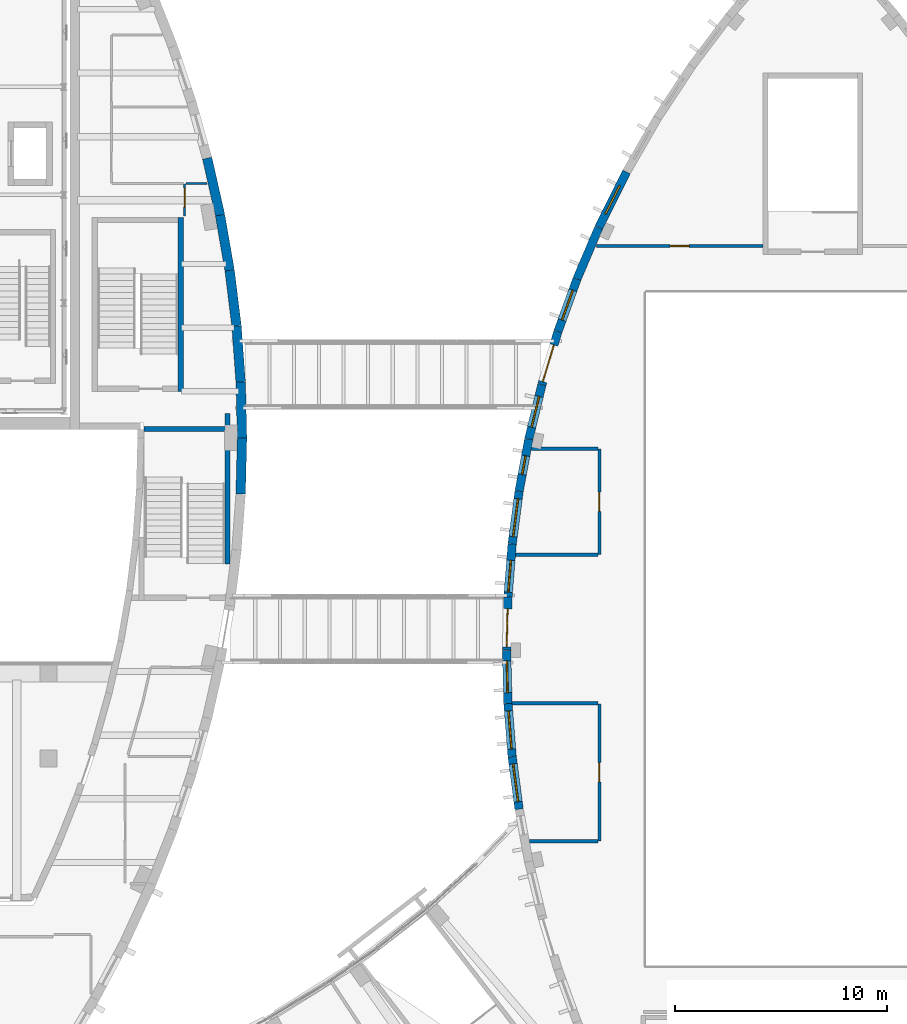
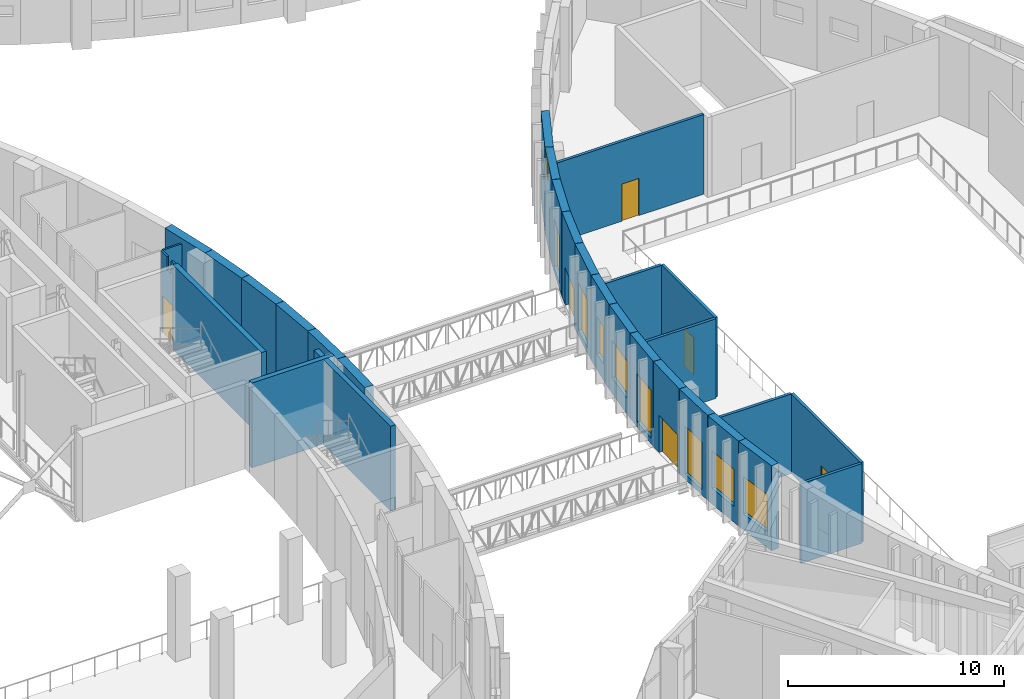
# One storey, part 62 of 93: 30 walls, 9 windows, 6 doors, 15 openings.
"""IFC4 building model written with IfcOpenShell, lengths in metres."""

from ifc_helpers import new_model, si_unit, direction, frame, frame_2d, origin, place, context, subcontext, project, spatial, polyline, rectangle, outline, extrude, material, layer, layer_set, type_object, element, fill, save


model = new_model("IFC4")

# Units and contexts
model_context = context("Model", 3, precision=1e-05, world=origin(), true_north=direction((0.0, 1.0)))
body_context = subcontext(model_context, "Body", "Model", "MODEL_VIEW")
ifc_project = project(units=[si_unit("LENGTHUNIT", "METRE"), si_unit("AREAUNIT", "SQUARE_METRE"), si_unit("VOLUMEUNIT", "CUBIC_METRE"), si_unit("PLANEANGLEUNIT", "RADIAN"), si_unit("MASSUNIT", "GRAM", prefix="KILO")], contexts=[model_context])

# Site, building, storey
site_placement = place(None, origin())
site = spatial("IfcSite", under=ifc_project, at=site_placement, CompositionType="ELEMENT")
building_placement = place(site_placement, origin())
building = spatial("IfcBuilding", under=site, at=building_placement, Name="Tide Square Theatres", CompositionType="ELEMENT")
storey_placement = place(building_placement, frame((0.0, 0.0, 5.39990234375)))
storey = spatial("IfcBuildingStorey", under=building, at=storey_placement, Name="L01", CompositionType="ELEMENT", Elevation=5.39990234375)

# Wall, opening, door
ifc_material_1 = material(Name="Gypsum board on steel studs", Category="steel")
ifc_layer_1 = layer(ifc_material_1, 0.10009765625)
ifc_layer_set_1 = layer_set([ifc_layer_1], Name="Gypsum board on steel studs")
wall_type_1 = type_object("IfcWallType", Name="Partition 100 thick", PredefinedType="PARTITIONING", material=ifc_layer_set_1)
wall_1_placement = place(storey_placement, frame((102.39990234375, 65.4599609375, 0.0), z_axis=(0.0, 0.0, 1.0), x_axis=(0.0, 1.0, 0.0)))
wall_1 = element("IfcWall", 1, at=wall_1_placement, inside=storey, type_object=wall_type_1, Name="Partition", PredefinedType="PARTITIONING", context=body_context, shape_type="SweptSolid", body=[
    extrude(outline(polyline([(0.0, 0.0), (1.52001953125, 0.0), (1.52001953125, 4.550048828125), (0.947021484375, 4.550048828125), (0.945068359375, 3.820068359375), (0.534912109375, 3.820068359375), (0.532958984375, 4.550048828125), (0.0, 4.550048828125), (0.0, 0.0)])), frame((0.0, 0.050048828125, 0.0), z_axis=(0.0, -1.0, 0.0), x_axis=(1.0, 0.0, 0.0)), (0.0, 0.0, 1.0), 0.10009765625),
])
opening_1_placement = place(wall_1_placement, frame((0.419921875, 0.0, 0.0)))
opening_1 = element("IfcOpeningElement", 2, at=opening_1_placement, cuts=wall_1, Name="Opening M01-21", PredefinedType="OPENING", context=body_context, shape_type="SweptSolid", body=[
    extrude(rectangle(XDim=0.89990234375, YDim=2.10009765625, at=frame_2d((0.449951171875, 1.050048828125))), frame((0.0, 0.06005859375, 0.0), z_axis=(0.0, -1.0, 0.0), x_axis=(1.0, 0.0, 0.0)), (0.0, 0.0, 1.0), 0.1201171875),
])
ifc_material_2 = material(Name="Hardwood timber", Category="wood")
door_type_1 = type_object("IfcDoorType", Name="Door 900 x 2100 single leaf", OperationType="NOTDEFINED", PredefinedType="DOOR", material=ifc_material_2)
door_1_placement = place(opening_1_placement, frame((0.89990234375, 0.0, 0.0), z_axis=(0.0, 0.0, 1.0), x_axis=(-1.0, 0.0, 0.0)))
door_1 = element("IfcDoor", 3, at=door_1_placement, inside=storey, type_object=door_type_1, Name="Green Room door", OperationType="SINGLE_SWING_LEFT", OverallHeight=2.10009765625, OverallWidth=0.89990234375, PredefinedType="DOOR", context=body_context, shape_type="SweptSolid", body=[
    extrude(rectangle(XDim=0.89990234375, YDim=2.10009765625, at=frame_2d((0.449951171875, 1.050048828125))), frame((0.0, 0.02490234375, 0.0), z_axis=(0.0, -1.0, 0.0), x_axis=(1.0, 0.0, 0.0)), (0.0, 0.0, 1.0), 0.050048828125),
])
fill(opening_1, door_1)

# Wall
wall_2_placement = place(storey_placement, frame((103.46533203125, 67.0, 0.0), z_axis=(0.0, 0.0, 1.0), x_axis=(-1.0, 0.0, 0.0)))
element("IfcWall", 4, at=wall_2_placement, inside=storey, type_object=wall_type_1, Name="Partition", PredefinedType="PARTITIONING", context=body_context, shape_type="SweptSolid", body=[
    extrude(rectangle(XDim=0.995361328125, YDim=0.10009765625, at=frame_2d((0.49755859375, 0.0))), origin(), (0.0, 0.0, 1.0), 4.550048828125),
])

# Wall, opening, door
ifc_material_3 = material(Name="Gypsum board on steel studs", Category="steel")
ifc_layer_2 = layer(ifc_material_3, 0.14990234375)
ifc_layer_set_2 = layer_set([ifc_layer_2], Name="Gypsum board on steel studs")
wall_type_2 = type_object("IfcWallType", Name="Partition 150 thick", PredefinedType="PARTITIONING", material=ifc_layer_set_2)
wall_3_placement = place(storey_placement, frame((121.949951171875, 36.02001953125, 0.0), z_axis=(0.0, 0.0, 1.0), x_axis=(0.0, 1.0, 0.0)))
wall_3 = element("IfcWall", 5, at=wall_3_placement, inside=storey, type_object=wall_type_2, Name="Black Box Theatre partition", PredefinedType="PARTITIONING", context=body_context, shape_type="SweptSolid", body=[
    extrude(rectangle(XDim=6.4599609375, YDim=0.14990234375, at=frame_2d((3.22998046875, 0.0))), origin(), (0.0, 0.0, 1.0), 4.5),
])
opening_2_placement = place(wall_3_placement, frame((2.780029296875, 0.0, 0.0)))
opening_2 = element("IfcOpeningElement", 6, at=opening_2_placement, cuts=wall_3, Name="Opening B01-05", PredefinedType="OPENING", context=body_context, shape_type="SweptSolid", body=[
    extrude(rectangle(XDim=0.89990234375, YDim=2.10009765625, at=frame_2d((0.449951171875, 1.050048828125))), frame((0.0, 0.0849609375, 0.0), z_axis=(0.0, -1.0, 0.0), x_axis=(1.0, 0.0, 0.0)), (0.0, 0.0, 1.0), 0.169921875),
])
door_2_placement = place(opening_2_placement, origin())
door_2 = element("IfcDoor", 7, at=door_2_placement, inside=storey, type_object=door_type_1, Name="Rehearsal Room 01 door", OperationType="SINGLE_SWING_RIGHT", OverallHeight=2.10009765625, OverallWidth=0.89990234375, PredefinedType="DOOR", context=body_context, shape_type="SweptSolid", body=[
    extrude(rectangle(XDim=0.89990234375, YDim=2.10009765625, at=frame_2d((0.449951171875, 1.050048828125))), frame((0.0, 0.02490234375, 0.0), z_axis=(0.0, -1.0, 0.0), x_axis=(1.0, 0.0, 0.0)), (0.0, 0.0, 1.0), 0.050048828125),
])
fill(opening_2, door_2)

wall_4_placement = place(storey_placement, frame((121.949951171875, 49.52001953125, 0.0), z_axis=(0.0, 0.0, 1.0), x_axis=(0.0, 1.0, 0.0)))
wall_4 = element("IfcWall", 8, at=wall_4_placement, inside=storey, type_object=wall_type_2, Name="Black Box Theatre partition", PredefinedType="PARTITIONING", context=body_context, shape_type="SweptSolid", body=[
    extrude(rectangle(XDim=4.9599609375, YDim=0.14990234375, at=frame_2d((2.47998046875, 0.0))), origin(), (0.0, 0.0, 1.0), 4.5),
])
opening_3_placement = place(wall_4_placement, frame((2.030029296875, 0.0, 0.0)))
opening_3 = element("IfcOpeningElement", 9, at=opening_3_placement, cuts=wall_4, Name="Opening B01-06", PredefinedType="OPENING", context=body_context, shape_type="SweptSolid", body=[
    extrude(rectangle(XDim=0.89990234375, YDim=2.10009765625, at=frame_2d((0.449951171875, 1.050048828125))), frame((0.0, 0.0849609375, 0.0), z_axis=(0.0, -1.0, 0.0), x_axis=(1.0, 0.0, 0.0)), (0.0, 0.0, 1.0), 0.169921875),
])
door_3_placement = place(opening_3_placement, origin())
door_3 = element("IfcDoor", 10, at=door_3_placement, inside=storey, type_object=door_type_1, Name="Rehearsal Room 02 door", OperationType="SINGLE_SWING_RIGHT", OverallHeight=2.10009765625, OverallWidth=0.89990234375, PredefinedType="DOOR", context=body_context, shape_type="SweptSolid", body=[
    extrude(rectangle(XDim=0.89990234375, YDim=2.10009765625, at=frame_2d((0.449951171875, 1.050048828125))), frame((0.0, 0.02490234375, 0.0), z_axis=(0.0, -1.0, 0.0), x_axis=(1.0, 0.0, 0.0)), (0.0, 0.0, 1.0), 0.050048828125),
])
fill(opening_3, door_3)

wall_5_placement = place(storey_placement, frame((121.80859375, 64.050048828125, 0.0), z_axis=(0.0, 0.0, 1.0), x_axis=(1.0, 0.0, 0.0)))
wall_5 = element("IfcWall", 11, at=wall_5_placement, inside=storey, type_object=wall_type_2, Name="Black Box Theatre partition", PredefinedType="PARTITIONING", context=body_context, shape_type="SweptSolid", body=[
    extrude(rectangle(XDim=7.841796875, YDim=0.14990234375, at=frame_2d((3.9208984375, 0.0))), origin(), (0.0, 0.0, 1.0), 4.5),
])
opening_4_placement = place(wall_5_placement, frame((3.470947265625, 0.0, 0.0)))
opening_4 = element("IfcOpeningElement", 12, at=opening_4_placement, cuts=wall_5, Name="Opening B01-14", PredefinedType="OPENING", context=body_context, shape_type="SweptSolid", body=[
    extrude(rectangle(XDim=0.89990234375, YDim=2.10009765625, at=frame_2d((0.449951171875, 1.050048828125))), frame((0.0, 0.0849609375, 0.0), z_axis=(0.0, -1.0, 0.0), x_axis=(1.0, 0.0, 0.0)), (0.0, 0.0, 1.0), 0.169921875),
])
door_4_placement = place(opening_4_placement, origin())
door_4 = element("IfcDoor", 13, at=door_4_placement, inside=storey, type_object=door_type_1, Name="Lamp Store door", OperationType="SINGLE_SWING_RIGHT", OverallHeight=2.10009765625, OverallWidth=0.89990234375, PredefinedType="DOOR", context=body_context, shape_type="SweptSolid", body=[
    extrude(rectangle(XDim=0.89990234375, YDim=2.10009765625, at=frame_2d((0.449951171875, 1.050048828125))), frame((0.0, 0.02490234375, 0.0), z_axis=(0.0, -1.0, 0.0), x_axis=(1.0, 0.0, 0.0)), (0.0, 0.0, 1.0), 0.050048828125),
])
fill(opening_4, door_4)

# Walls
wall_6_placement = place(storey_placement, frame((118.646728515625, 36.0, 0.0), z_axis=(0.0, 0.0, 1.0), x_axis=(1.0, 0.0, 0.0)))
element("IfcWall", 14, at=wall_6_placement, inside=storey, type_object=wall_type_2, Name="Black Box Theatre partition", PredefinedType="PARTITIONING", context=body_context, shape_type="SweptSolid", body=[
    extrude(rectangle(XDim=3.2431640625, YDim=0.14990234375, at=frame_2d((1.62158203125, 0.0))), origin(), (0.0, 0.0, 1.0), 4.5),
])
wall_7_placement = place(storey_placement, frame((117.83837890625, 42.5, 0.0), z_axis=(0.0, 0.0, 1.0), x_axis=(1.0, 0.0, 0.0)))
element("IfcWall", 15, at=wall_7_placement, inside=storey, type_object=wall_type_2, Name="Black Box Theatre partition", PredefinedType="PARTITIONING", context=body_context, shape_type="SweptSolid", body=[
    extrude(rectangle(XDim=4.051513671875, YDim=0.14990234375, at=frame_2d((2.02587890625, 0.0))), origin(), (0.0, 0.0, 1.0), 4.5),
])
wall_8_placement = place(storey_placement, frame((117.99609375, 49.5, 0.0), z_axis=(0.0, 0.0, 1.0), x_axis=(1.0, 0.0, 0.0)))
element("IfcWall", 16, at=wall_8_placement, inside=storey, type_object=wall_type_2, Name="Black Box Theatre partition", PredefinedType="PARTITIONING", context=body_context, shape_type="SweptSolid", body=[
    extrude(rectangle(XDim=3.893798828125, YDim=0.14990234375, at=frame_2d((1.94677734375, 0.0))), origin(), (0.0, 0.0, 1.0), 4.5),
])
wall_9_placement = place(storey_placement, frame((118.739501953125, 54.5, 0.0), z_axis=(0.0, 0.0, 1.0), x_axis=(1.0, 0.0, 0.0)))
element("IfcWall", 17, at=wall_9_placement, inside=storey, type_object=wall_type_2, Name="Black Box Theatre partition", PredefinedType="PARTITIONING", context=body_context, shape_type="SweptSolid", body=[
    extrude(rectangle(XDim=3.150390625, YDim=0.14990234375, at=frame_2d((1.5751953125, 0.0))), origin(), (0.0, 0.0, 1.0), 4.5),
])

# Wall, opening, window
ifc_material_4 = material(Name="Concrete C40", Category="concrete")
ifc_layer_3 = layer(ifc_material_4, 0.39990234375)
ifc_layer_set_3 = layer_set([ifc_layer_3], Name="Concrete C40")
wall_type_3 = type_object("IfcWallType", Name="RC curved wall 400 thick", PredefinedType="SOLIDWALL", material=ifc_layer_set_3)
wall_10_placement = place(storey_placement, frame((123.2197265625, 67.537353515625, 0.0), z_axis=(0.0, 0.0, 1.0), x_axis=(-0.44433489597, -0.895860759395, 0.0)))
wall_10 = element("IfcWall", 18, at=wall_10_placement, inside=storey, type_object=wall_type_3, Name="Black Box Theatre perimeter wall", PredefinedType="SOLIDWALL", context=body_context, shape_type="SweptSolid", body=[
    extrude(rectangle(XDim=2.919677734375, YDim=0.39990234375, at=frame_2d((1.4599609375, 0.0))), origin(), (0.0, 0.0, 1.0), 4.800048828125),
])
opening_5_placement = place(wall_10_placement, frame((0.7099609375, 0.0, 2.39990234375)))
opening_5 = element("IfcOpeningElement", 19, at=opening_5_placement, cuts=wall_10, Name="Opening WN-04", PredefinedType="OPENING", context=body_context, shape_type="SweptSolid", body=[
    extrude(rectangle(XDim=1.5, YDim=0.89990234375, at=frame_2d((0.75, 0.449951171875))), frame((0.0, 0.2099609375, 0.0), z_axis=(0.0, -1.0, 0.0), x_axis=(1.0, 0.0, 0.0)), (0.0, 0.0, 1.0), 0.419921875),
])
ifc_material_5 = material(Name="Aluminium with laminated glass", Category="aluminium")
window_type_1 = type_object("IfcWindowType", Name="Window 1500 x 900", PartitioningType="SINGLE_PANEL", PredefinedType="WINDOW", material=ifc_material_5)
window_1_placement = place(opening_5_placement, origin())
window_1 = element("IfcWindow", 20, at=window_1_placement, inside=storey, type_object=window_type_1, Name="Black Box Theatre Lamp Store window", OverallHeight=0.89990234375, OverallWidth=1.5, PartitioningType="SINGLE_PANEL", PredefinedType="WINDOW", context=body_context, shape_type="SweptSolid", body=[
    extrude(rectangle(XDim=1.5, YDim=0.89990234375, at=frame_2d((0.75, 0.449951171875))), frame((0.0, 0.030029296875, 0.0), z_axis=(0.0, -1.0, 0.0), x_axis=(1.0, 0.0, 0.0)), (0.0, 0.0, 1.0), 0.06005859375),
])
fill(opening_5, window_1)

# Wall
wall_11_placement = place(storey_placement, frame((121.91748046875, 64.910888671875, 0.0), z_axis=(0.0, 0.0, 1.0), x_axis=(-0.391529943778, -0.920165367271, 0.0)))
element("IfcWall", 21, at=wall_11_placement, inside=storey, type_object=wall_type_3, Name="Black Box Theatre perimeter wall", PredefinedType="SOLIDWALL", context=body_context, shape_type="SweptSolid", body=[
    extrude(rectangle(XDim=2.61572265625, YDim=0.39990234375, at=frame_2d((1.307861328125, 0.0))), origin(), (0.0, 0.0, 1.0), 4.800048828125),
])

# Wall, opening, window
wall_12_placement = place(storey_placement, frame((120.889404296875, 62.49365234375, 0.0), z_axis=(0.0, 0.0, 1.0), x_axis=(-0.340394146267, -0.940282843184, 0.0)))
wall_12 = element("IfcWall", 22, at=wall_12_placement, inside=storey, type_object=wall_type_3, Name="Black Box Theatre perimeter wall", PredefinedType="SOLIDWALL", context=body_context, shape_type="SweptSolid", body=[
    extrude(rectangle(XDim=2.616455078125, YDim=0.39990234375, at=frame_2d((1.30810546875, 0.0))), origin(), (0.0, 0.0, 1.0), 4.800048828125),
])
opening_6_placement = place(wall_12_placement, frame((0.558349609375, 0.0, 0.300048828125)))
opening_6 = element("IfcOpeningElement", 23, at=opening_6_placement, cuts=wall_12, Name="Opening WN-02", PredefinedType="OPENING", context=body_context, shape_type="SweptSolid", body=[
    extrude(rectangle(XDim=1.5, YDim=2.699951171875, at=frame_2d((0.75, 1.35009765625))), frame((0.0, 0.2099609375, 0.0), z_axis=(0.0, -1.0, 0.0), x_axis=(1.0, 0.0, 0.0)), (0.0, 0.0, 1.0), 0.419921875),
])
ifc_material_6 = material(Name="Aluminium with laminated glass", Category="aluminium")
window_type_2 = type_object("IfcWindowType", Name="Window 1500 x 2700", PartitioningType="SINGLE_PANEL", PredefinedType="WINDOW", material=ifc_material_6)
window_2_placement = place(opening_6_placement, origin())
window_2 = element("IfcWindow", 24, at=window_2_placement, inside=storey, type_object=window_type_2, Name="Black Box Theatre Bridge Lobby window", OverallHeight=2.699951171875, OverallWidth=1.5, PartitioningType="SINGLE_PANEL", PredefinedType="WINDOW", context=body_context, shape_type="SweptSolid", body=[
    extrude(rectangle(XDim=1.5, YDim=2.699951171875, at=frame_2d((0.75, 1.35009765625))), frame((0.0, 0.030029296875, 0.0), z_axis=(0.0, -1.0, 0.0), x_axis=(1.0, 0.0, 0.0)), (0.0, 0.0, 1.0), 0.06005859375),
])
fill(opening_6, window_2)

# Wall, opening, door
wall_13_placement = place(storey_placement, frame((119.995361328125, 60.02294921875, 0.0), z_axis=(0.0, 0.0, 1.0), x_axis=(-0.288212317298, -0.957566530408, 0.0)))
wall_13 = element("IfcWall", 25, at=wall_13_placement, inside=storey, type_object=wall_type_3, Name="Black Box Theatre perimeter wall", PredefinedType="SOLIDWALL", context=body_context, shape_type="SweptSolid", body=[
    extrude(rectangle(XDim=2.61669921875, YDim=0.39990234375, at=frame_2d((1.308349609375, 0.0))), origin(), (0.0, 0.0, 1.0), 4.800048828125),
])
opening_7_placement = place(wall_13_placement, frame((0.66650390625, 0.0, 0.0)))
opening_7 = element("IfcOpeningElement", 26, at=opening_7_placement, cuts=wall_13, Name="Opening B01-02", PredefinedType="OPENING", context=body_context, shape_type="SweptSolid", body=[
    extrude(rectangle(XDim=1.800048828125, YDim=2.10009765625, at=frame_2d((0.89990234375, 1.050048828125))), frame((0.0, 0.2099609375, 0.0), z_axis=(0.0, -1.0, 0.0), x_axis=(1.0, 0.0, 0.0)), (0.0, 0.0, 1.0), 0.419921875),
])
ifc_material_7 = material(Name="Hardwood timber", Category="wood")
door_type_2 = type_object("IfcDoorType", Name="Door 1800 x 2100 double leaf", OperationType="DOUBLE_DOOR_SINGLE_SWING", PredefinedType="DOOR", material=ifc_material_7)
door_5_placement = place(opening_7_placement, origin())
door_5 = element("IfcDoor", 27, at=door_5_placement, inside=storey, type_object=door_type_2, Name="Black Box Theatre bridge door BR-E1", OperationType="DOUBLE_DOOR_SINGLE_SWING", OverallHeight=2.10009765625, OverallWidth=1.800048828125, PredefinedType="DOOR", context=body_context, shape_type="SweptSolid", body=[
    extrude(rectangle(XDim=1.800048828125, YDim=2.10009765625, at=frame_2d((0.89990234375, 1.050048828125))), frame((0.0, 0.02490234375, 0.0), z_axis=(0.0, -1.0, 0.0), x_axis=(1.0, 0.0, 0.0)), (0.0, 0.0, 1.0), 0.050048828125),
])
fill(opening_7, door_5)

# Wall, opening, window
wall_14_placement = place(storey_placement, frame((119.23828125, 57.5068359375, 0.0), z_axis=(0.0, 0.0, 1.0), x_axis=(-0.235108668597, -0.971969091047, 0.0)))
wall_14 = element("IfcWall", 28, at=wall_14_placement, inside=storey, type_object=wall_type_3, Name="Black Box Theatre perimeter wall", PredefinedType="SOLIDWALL", context=body_context, shape_type="SweptSolid", body=[
    extrude(rectangle(XDim=2.61669921875, YDim=0.39990234375, at=frame_2d((1.308349609375, 0.0))), origin(), (0.0, 0.0, 1.0), 4.800048828125),
])
opening_8_placement = place(wall_14_placement, frame((0.558349609375, 0.0, 0.300048828125)))
opening_8 = element("IfcOpeningElement", 29, at=opening_8_placement, cuts=wall_14, Name="Opening WN-02", PredefinedType="OPENING", context=body_context, shape_type="SweptSolid", body=[
    extrude(rectangle(XDim=1.5, YDim=2.699951171875, at=frame_2d((0.75, 1.35009765625))), frame((0.0, 0.2099609375, 0.0), z_axis=(0.0, -1.0, 0.0), x_axis=(1.0, 0.0, 0.0)), (0.0, 0.0, 1.0), 0.419921875),
])
window_3_placement = place(opening_8_placement, origin())
window_3 = element("IfcWindow", 30, at=window_3_placement, inside=storey, type_object=window_type_2, Name="Black Box Theatre Bridge Lobby window", OverallHeight=2.699951171875, OverallWidth=1.5, PartitioningType="SINGLE_PANEL", PredefinedType="WINDOW", context=body_context, shape_type="SweptSolid", body=[
    extrude(rectangle(XDim=1.5, YDim=2.699951171875, at=frame_2d((0.75, 1.35009765625))), frame((0.0, 0.030029296875, 0.0), z_axis=(0.0, -1.0, 0.0), x_axis=(1.0, 0.0, 0.0)), (0.0, 0.0, 1.0), 0.06005859375),
])
fill(opening_8, window_3)

wall_15_placement = place(storey_placement, frame((118.620849609375, 54.952880859375, 0.0), z_axis=(0.0, 0.0, 1.0), x_axis=(-0.182652956339, -0.983177449671, 0.0)))
wall_15 = element("IfcWall", 31, at=wall_15_placement, inside=storey, type_object=wall_type_3, Name="Black Box Theatre perimeter wall", PredefinedType="SOLIDWALL", context=body_context, shape_type="SweptSolid", body=[
    extrude(rectangle(XDim=2.496826171875, YDim=0.39990234375, at=frame_2d((1.24853515625, 0.0))), origin(), (0.0, 0.0, 1.0), 4.800048828125),
])
opening_9_placement = place(wall_15_placement, frame((0.79833984375, 0.0, 0.89990234375)))
opening_9 = element("IfcOpeningElement", 32, at=opening_9_placement, cuts=wall_15, Name="Opening WN-10", PredefinedType="OPENING", context=body_context, shape_type="SweptSolid", body=[
    extrude(rectangle(XDim=0.89990234375, YDim=2.10009765625, at=frame_2d((0.449951171875, 1.050048828125))), frame((0.0, 0.2099609375, 0.0), z_axis=(0.0, -1.0, 0.0), x_axis=(1.0, 0.0, 0.0)), (0.0, 0.0, 1.0), 0.419921875),
])
ifc_material_8 = material(Name="Aluminium with laminated glass", Category="aluminium")
window_type_3 = type_object("IfcWindowType", Name="Window 900 x 2100", PartitioningType="SINGLE_PANEL", PredefinedType="WINDOW", material=ifc_material_8)
window_4_placement = place(opening_9_placement, origin())
window_4 = element("IfcWindow", 33, at=window_4_placement, inside=storey, type_object=window_type_3, Name="Black Box Theatre Rehearsal Room 02 window", OverallHeight=2.10009765625, OverallWidth=0.89990234375, PartitioningType="SINGLE_PANEL", PredefinedType="WINDOW", context=body_context, shape_type="SweptSolid", body=[
    extrude(rectangle(XDim=0.89990234375, YDim=2.10009765625, at=frame_2d((0.449951171875, 1.050048828125))), frame((0.0, 0.030029296875, 0.0), z_axis=(0.0, -1.0, 0.0), x_axis=(1.0, 0.0, 0.0)), (0.0, 0.0, 1.0), 0.06005859375),
])
fill(opening_9, window_4)

wall_16_placement = place(storey_placement, frame((118.1630859375, 52.487548828125, 0.0), z_axis=(0.0, 0.0, 1.0), x_axis=(-0.130722601708, -0.991418983782, 0.0)))
wall_16 = element("IfcWall", 34, at=wall_16_placement, inside=storey, type_object=wall_type_3, Name="Black Box Theatre perimeter wall", PredefinedType="SOLIDWALL", context=body_context, shape_type="SweptSolid", body=[
    extrude(rectangle(XDim=2.4970703125, YDim=0.39990234375, at=frame_2d((1.24853515625, 0.0))), origin(), (0.0, 0.0, 1.0), 4.800048828125),
])
opening_10_placement = place(wall_16_placement, frame((0.3486328125, 0.0, 0.89990234375)))
opening_10 = element("IfcOpeningElement", 35, at=opening_10_placement, cuts=wall_16, Name="Opening WN-14", PredefinedType="OPENING", context=body_context, shape_type="SweptSolid", body=[
    extrude(rectangle(XDim=1.800048828125, YDim=2.10009765625, at=frame_2d((0.89990234375, 1.050048828125))), frame((0.0, 0.2099609375, 0.0), z_axis=(0.0, -1.0, 0.0), x_axis=(1.0, 0.0, 0.0)), (0.0, 0.0, 1.0), 0.419921875),
])
ifc_material_9 = material(Name="Aluminium with laminated glass", Category="aluminium")
window_type_4 = type_object("IfcWindowType", Name="Window 1800 x 2100", PartitioningType="DOUBLE_PANEL_VERTICAL", PredefinedType="WINDOW", material=ifc_material_9)
window_5_placement = place(opening_10_placement, origin())
window_5 = element("IfcWindow", 36, at=window_5_placement, inside=storey, type_object=window_type_4, Name="Black Box Theatre Rehearsal Room 02 window", OverallHeight=2.10009765625, OverallWidth=1.800048828125, PartitioningType="SINGLE_PANEL", PredefinedType="WINDOW", context=body_context, shape_type="SweptSolid", body=[
    extrude(rectangle(XDim=1.800048828125, YDim=2.10009765625, at=frame_2d((0.89990234375, 1.050048828125))), frame((0.0, 0.030029296875, 0.0), z_axis=(0.0, -1.0, 0.0), x_axis=(1.0, 0.0, 0.0)), (0.0, 0.0, 1.0), 0.06005859375),
])
fill(opening_10, window_5)

wall_17_placement = place(storey_placement, frame((117.83544921875, 50.00146484375, 0.0), z_axis=(0.0, 0.0, 1.0), x_axis=(-0.078602769132, -0.996906015974, 0.0)))
wall_17 = element("IfcWall", 37, at=wall_17_placement, inside=storey, type_object=wall_type_3, Name="Black Box Theatre perimeter wall", PredefinedType="SOLIDWALL", context=body_context, shape_type="SweptSolid", body=[
    extrude(rectangle(XDim=2.497314453125, YDim=0.39990234375, at=frame_2d((1.24853515625, 0.0))), origin(), (0.0, 0.0, 1.0), 4.800048828125),
])
opening_11_placement = place(wall_17_placement, frame((0.767333984375, 0.0, 0.300048828125)))
opening_11 = element("IfcOpeningElement", 38, at=opening_11_placement, cuts=wall_17, Name="Opening WN-02", PredefinedType="OPENING", context=body_context, shape_type="SweptSolid", body=[
    extrude(rectangle(XDim=1.5, YDim=2.699951171875, at=frame_2d((0.75, 1.35009765625))), frame((0.0, 0.2099609375, 0.0), z_axis=(0.0, -1.0, 0.0), x_axis=(1.0, 0.0, 0.0)), (0.0, 0.0, 1.0), 0.419921875),
])
window_6_placement = place(opening_11_placement, origin())
window_6 = element("IfcWindow", 39, at=window_6_placement, inside=storey, type_object=window_type_2, Name="Black Box Theatre Bridge Lobby window", OverallHeight=2.699951171875, OverallWidth=1.5, PartitioningType="SINGLE_PANEL", PredefinedType="WINDOW", context=body_context, shape_type="SweptSolid", body=[
    extrude(rectangle(XDim=1.5, YDim=2.699951171875, at=frame_2d((0.75, 1.35009765625))), frame((0.0, 0.030029296875, 0.0), z_axis=(0.0, -1.0, 0.0), x_axis=(1.0, 0.0, 0.0)), (0.0, 0.0, 1.0), 0.06005859375),
])
fill(opening_11, window_6)

# Wall, opening, door
wall_18_placement = place(storey_placement, frame((117.638671875, 47.501708984375, 0.0), z_axis=(0.0, 0.0, 1.0), x_axis=(-0.026296399089, -0.999654189905, 0.0)))
wall_18 = element("IfcWall", 40, at=wall_18_placement, inside=storey, type_object=wall_type_3, Name="Black Box Theatre perimeter wall", PredefinedType="SOLIDWALL", context=body_context, shape_type="SweptSolid", body=[
    extrude(rectangle(XDim=2.49755859375, YDim=0.39990234375, at=frame_2d((1.248779296875, 0.0))), origin(), (0.0, 0.0, 1.0), 4.800048828125),
])
opening_12_placement = place(wall_18_placement, frame((0.54736328125, 0.0, 0.0)))
opening_12 = element("IfcOpeningElement", 41, at=opening_12_placement, cuts=wall_18, Name="Opening B01-03", PredefinedType="OPENING", context=body_context, shape_type="SweptSolid", body=[
    extrude(rectangle(XDim=1.800048828125, YDim=2.10009765625, at=frame_2d((0.89990234375, 1.050048828125))), frame((0.0, 0.2099609375, 0.0), z_axis=(0.0, -1.0, 0.0), x_axis=(1.0, 0.0, 0.0)), (0.0, 0.0, 1.0), 0.419921875),
])
door_6_placement = place(opening_12_placement, frame((1.800048828125, 0.0, 0.0), z_axis=(0.0, 0.0, 1.0), x_axis=(-1.0, 0.0, 0.0)))
door_6 = element("IfcDoor", 42, at=door_6_placement, inside=storey, type_object=door_type_2, Name="Black Box Theatre bridge door BR-E2", OperationType="DOUBLE_DOOR_SINGLE_SWING", OverallHeight=2.10009765625, OverallWidth=1.800048828125, PredefinedType="DOOR", context=body_context, shape_type="SweptSolid", body=[
    extrude(rectangle(XDim=1.800048828125, YDim=2.10009765625, at=frame_2d((0.89990234375, 1.050048828125))), frame((0.0, 0.02490234375, 0.0), z_axis=(0.0, -1.0, 0.0), x_axis=(1.0, 0.0, 0.0)), (0.0, 0.0, 1.0), 0.050048828125),
])
fill(opening_12, door_6)

# Wall, opening, window
wall_19_placement = place(storey_placement, frame((117.572998046875, 44.994873046875, 0.0), z_axis=(0.0, 0.0, 1.0), x_axis=(0.026296399089, -0.999654189905, 0.0)))
wall_19 = element("IfcWall", 43, at=wall_19_placement, inside=storey, type_object=wall_type_3, Name="Black Box Theatre perimeter wall", PredefinedType="SOLIDWALL", context=body_context, shape_type="SweptSolid", body=[
    extrude(rectangle(XDim=2.49755859375, YDim=0.39990234375, at=frame_2d((1.248779296875, 0.0))), origin(), (0.0, 0.0, 1.0), 4.800048828125),
])
opening_13_placement = place(wall_19_placement, frame((0.49853515625, 0.0, 0.300048828125)))
opening_13 = element("IfcOpeningElement", 44, at=opening_13_placement, cuts=wall_19, Name="Opening WN-02", PredefinedType="OPENING", context=body_context, shape_type="SweptSolid", body=[
    extrude(rectangle(XDim=1.5, YDim=2.699951171875, at=frame_2d((0.75, 1.35009765625))), frame((0.0, 0.2099609375, 0.0), z_axis=(0.0, -1.0, 0.0), x_axis=(1.0, 0.0, 0.0)), (0.0, 0.0, 1.0), 0.419921875),
])
window_7_placement = place(opening_13_placement, origin())
window_7 = element("IfcWindow", 45, at=window_7_placement, inside=storey, type_object=window_type_2, Name="Black Box Theatre Bridge Lobby window", OverallHeight=2.699951171875, OverallWidth=1.5, PartitioningType="SINGLE_PANEL", PredefinedType="WINDOW", context=body_context, shape_type="SweptSolid", body=[
    extrude(rectangle(XDim=1.5, YDim=2.699951171875, at=frame_2d((0.75, 1.35009765625))), frame((0.0, 0.030029296875, 0.0), z_axis=(0.0, -1.0, 0.0), x_axis=(1.0, 0.0, 0.0)), (0.0, 0.0, 1.0), 0.06005859375),
])
fill(opening_13, window_7)

wall_20_placement = place(storey_placement, frame((117.63916015625, 42.488037109375, 0.0), z_axis=(0.0, 0.0, 1.0), x_axis=(0.078602769132, -0.996906015974, 0.0)))
wall_20 = element("IfcWall", 46, at=wall_20_placement, inside=storey, type_object=wall_type_3, Name="Black Box Theatre perimeter wall", PredefinedType="SOLIDWALL", context=body_context, shape_type="SweptSolid", body=[
    extrude(rectangle(XDim=2.497314453125, YDim=0.39990234375, at=frame_2d((1.24853515625, 0.0))), origin(), (0.0, 0.0, 1.0), 4.800048828125),
])
opening_14_placement = place(wall_20_placement, frame((0.3486328125, 0.0, 0.89990234375)))
opening_14 = element("IfcOpeningElement", 47, at=opening_14_placement, cuts=wall_20, Name="Opening WN-14", PredefinedType="OPENING", context=body_context, shape_type="SweptSolid", body=[
    extrude(rectangle(XDim=1.800048828125, YDim=2.10009765625, at=frame_2d((0.89990234375, 1.050048828125))), frame((0.0, 0.2099609375, 0.0), z_axis=(0.0, -1.0, 0.0), x_axis=(1.0, 0.0, 0.0)), (0.0, 0.0, 1.0), 0.419921875),
])
window_8_placement = place(opening_14_placement, origin())
window_8 = element("IfcWindow", 48, at=window_8_placement, inside=storey, type_object=window_type_4, Name="Black Box Theatre Rehearsal Room 01 window", OverallHeight=2.10009765625, OverallWidth=1.800048828125, PartitioningType="SINGLE_PANEL", PredefinedType="WINDOW", context=body_context, shape_type="SweptSolid", body=[
    extrude(rectangle(XDim=1.800048828125, YDim=2.10009765625, at=frame_2d((0.89990234375, 1.050048828125))), frame((0.0, 0.030029296875, 0.0), z_axis=(0.0, -1.0, 0.0), x_axis=(1.0, 0.0, 0.0)), (0.0, 0.0, 1.0), 0.06005859375),
])
fill(opening_14, window_8)

wall_21_placement = place(storey_placement, frame((117.836669921875, 39.988037109375, 0.0), z_axis=(0.0, 0.0, 1.0), x_axis=(0.130722601708, -0.991418983782, 0.0)))
wall_21 = element("IfcWall", 49, at=wall_21_placement, inside=storey, type_object=wall_type_3, Name="Black Box Theatre perimeter wall", PredefinedType="SOLIDWALL", context=body_context, shape_type="SweptSolid", body=[
    extrude(rectangle(XDim=2.4970703125, YDim=0.39990234375, at=frame_2d((1.24853515625, 0.0))), origin(), (0.0, 0.0, 1.0), 4.800048828125),
])
opening_15_placement = place(wall_21_placement, frame((0.3486328125, 0.0, 0.89990234375)))
opening_15 = element("IfcOpeningElement", 50, at=opening_15_placement, cuts=wall_21, Name="Opening WN-14", PredefinedType="OPENING", context=body_context, shape_type="SweptSolid", body=[
    extrude(rectangle(XDim=1.800048828125, YDim=2.10009765625, at=frame_2d((0.89990234375, 1.050048828125))), frame((0.0, 0.2099609375, 0.0), z_axis=(0.0, -1.0, 0.0), x_axis=(1.0, 0.0, 0.0)), (0.0, 0.0, 1.0), 0.419921875),
])
window_9_placement = place(opening_15_placement, origin())
window_9 = element("IfcWindow", 51, at=window_9_placement, inside=storey, type_object=window_type_4, Name="Black Box Theatre Rehearsal Room 01 window", OverallHeight=2.10009765625, OverallWidth=1.800048828125, PartitioningType="SINGLE_PANEL", PredefinedType="WINDOW", context=body_context, shape_type="SweptSolid", body=[
    extrude(rectangle(XDim=1.800048828125, YDim=2.10009765625, at=frame_2d((0.89990234375, 1.050048828125))), frame((0.0, 0.030029296875, 0.0), z_axis=(0.0, -1.0, 0.0), x_axis=(1.0, 0.0, 0.0)), (0.0, 0.0, 1.0), 0.06005859375),
])
fill(opening_15, window_9)

# Walls
ifc_material_10 = material(Name="Concrete C40", Category="concrete")
ifc_layer_4 = layer(ifc_material_10, 0.449951171875)
ifc_layer_set_4 = layer_set([ifc_layer_4], Name="Concrete C40")
wall_type_4 = type_object("IfcWallType", Name="RC curved wall 450 thick", PredefinedType="SOLIDWALL", material=ifc_layer_set_4)
for number, where, z_axis, x_axis, name in (
    (52, (105.044921875, 52.358154296875, 0.0), (0.0, 0.0, 1.0), (0.024666736886, 0.999695729756, 0.0), "Main Theatre perimeter wall"),
    (53, (105.110107421875, 55.0, 0.0), (0.0, 0.0, 1.0), (-0.024666736886, 0.999695729756, 0.0), "Main Theatre perimeter wall"),
):
    element("IfcWall", number, at=place(storey_placement, frame(where, z_axis=z_axis, x_axis=x_axis)), inside=storey, type_object=wall_type_4, Name=name, PredefinedType="SOLIDWALL", context=body_context, shape_type="SweptSolid", body=[
        extrude(rectangle(XDim=2.642578125, YDim=0.449951171875, at=frame_2d((1.3212890625, 0.0))), origin(), (0.0, 0.0, 1.0), 4.800048828125),
    ])
wall_22_placement = place(storey_placement, frame((105.044921875, 57.641845703125, 0.0), z_axis=(0.0, 0.0, 1.0), x_axis=(-0.07363685767, 0.997285121313, 0.0)))
element("IfcWall", 54, at=wall_22_placement, inside=storey, type_object=wall_type_4, Name="Main Theatre perimeter wall", PredefinedType="SOLIDWALL", context=body_context, shape_type="SweptSolid", body=[
    extrude(rectangle(XDim=2.642333984375, YDim=0.449951171875, at=frame_2d((1.3212890625, 0.0))), origin(), (0.0, 0.0, 1.0), 4.800048828125),
])
wall_23_placement = place(storey_placement, frame((104.850341796875, 60.277099609375, 0.0), z_axis=(0.0, 0.0, 1.0), x_axis=(-0.122499610212, 0.992468561466, 0.0)))
element("IfcWall", 55, at=wall_23_placement, inside=storey, type_object=wall_type_4, Name="Main Theatre perimeter wall", PredefinedType="SOLIDWALL", context=body_context, shape_type="SweptSolid", body=[
    extrude(rectangle(XDim=2.642822265625, YDim=0.449951171875, at=frame_2d((1.3212890625, 0.0))), origin(), (0.0, 0.0, 1.0), 4.800048828125),
])
wall_24_placement = place(storey_placement, frame((104.526611328125, 62.89990234375, 0.0), z_axis=(0.0, 0.0, 1.0), x_axis=(-0.171196910379, 0.985236833394, 0.0)))
element("IfcWall", 56, at=wall_24_placement, inside=storey, type_object=wall_type_4, Name="Main Theatre perimeter wall", PredefinedType="SOLIDWALL", context=body_context, shape_type="SweptSolid", body=[
    extrude(rectangle(XDim=2.642578125, YDim=0.449951171875, at=frame_2d((1.3212890625, 0.0))), origin(), (0.0, 0.0, 1.0), 4.800048828125),
])
wall_25_placement = place(storey_placement, frame((104.07421875, 65.50341796875, 0.0), z_axis=(0.0, 0.0, 1.0), x_axis=(-0.220347996563, 0.975421324562, 0.0)))
element("IfcWall", 57, at=wall_25_placement, inside=storey, type_object=wall_type_4, Name="Main Theatre perimeter wall", PredefinedType="SOLIDWALL", context=body_context, shape_type="SweptSolid", body=[
    extrude(rectangle(XDim=2.752197265625, YDim=0.449951171875, at=frame_2d((1.3759765625, 0.0))), origin(), (0.0, 0.0, 1.0), 4.800048828125),
])
ifc_material_11 = material(Name="Concrete C40", Category="concrete")
ifc_layer_5 = layer(ifc_material_11, 0.25)
ifc_layer_set_5 = layer_set([ifc_layer_5], Name="Concrete C40")
wall_type_5 = type_object("IfcWallType", Name="RC shear wall 250 thick", PredefinedType="SHEAR", material=ifc_layer_set_5)
wall_26_placement = place(storey_placement, frame((102.22509765625, 57.199951171875, 0.0), z_axis=(0.0, 0.0, 1.0), x_axis=(0.0, 1.0, 0.0)))
element("IfcWall", 58, at=wall_26_placement, inside=storey, type_object=wall_type_5, Name="Main Theatre East Stair shaft wall", PredefinedType="SHEAR", context=body_context, shape_type="SweptSolid", body=[
    extrude(rectangle(XDim=8.199951171875, YDim=0.25, at=frame_2d((4.10009765625, 0.0))), origin(), (0.0, 0.0, 1.0), 4.800048828125),
])
wall_27_placement = place(storey_placement, frame((104.425048828125, 49.060791015625, 0.0), z_axis=(0.0, 0.0, 1.0), x_axis=(0.0, 1.0, 0.0)))
element("IfcWall", 59, at=wall_27_placement, inside=storey, type_object=wall_type_5, Name="Main Theatre East Circle Stair shaft wall", PredefinedType="SHEAR", context=body_context, shape_type="SweptSolid", body=[
    extrude(rectangle(XDim=7.089111328125, YDim=0.25, at=frame_2d((3.54443359375, 0.0))), origin(), (0.0, 0.0, 1.0), 4.800048828125),
])
wall_28_placement = place(storey_placement, frame((100.47998046875, 55.425048828125, 0.0), z_axis=(0.0, 0.0, 1.0), x_axis=(1.0, 0.0, 0.0)))
element("IfcWall", 60, at=wall_28_placement, inside=storey, type_object=wall_type_5, Name="Main Theatre East Circle Stair shaft wall", PredefinedType="SHEAR", context=body_context, shape_type="SweptSolid", body=[
    extrude(rectangle(XDim=4.419921875, YDim=0.25, at=frame_2d((2.2099609375, 0.0))), origin(), (0.0, 0.0, 1.0), 4.800048828125),
])

save(model, "model.ifc")
